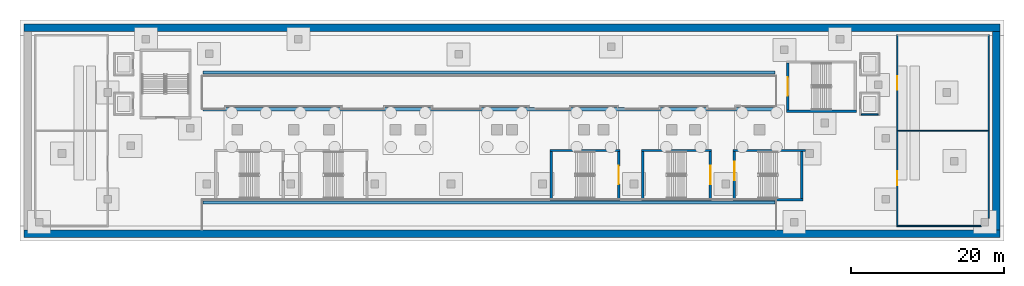
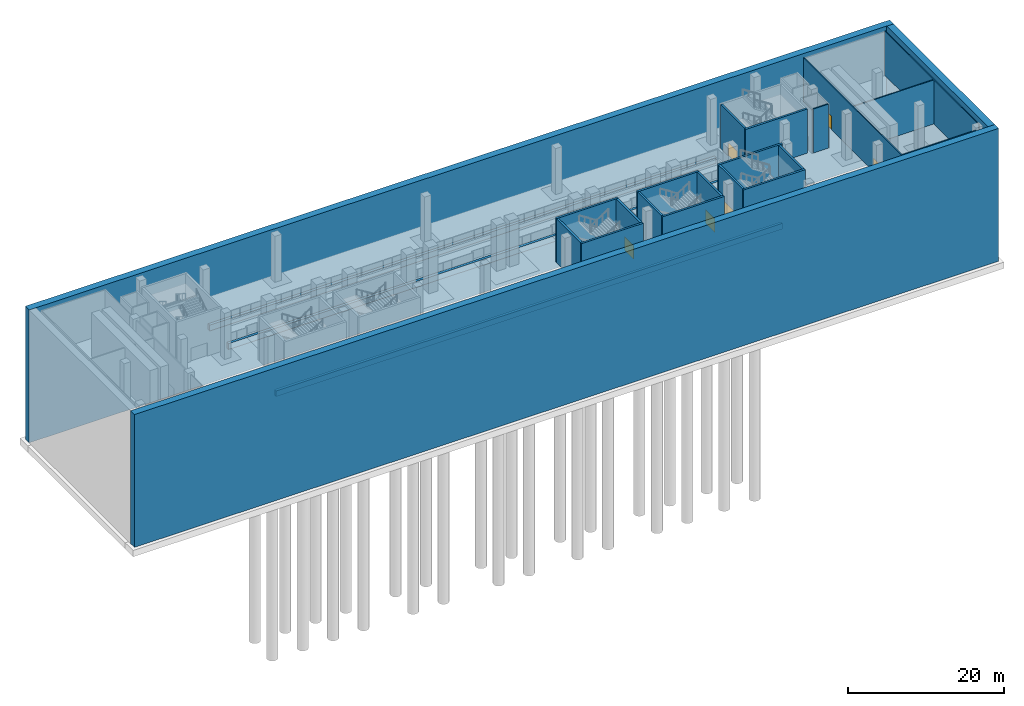
# One storey, part 4 of 15: 25 walls, 6 doors, 6 openings.
"""IFC4 building model written with IfcOpenShell, lengths in metres."""

from ifc_helpers import new_model, si_unit, direction, frame, frame_2d, origin, place, context, subcontext, project, spatial, rectangle, extrude, material, layer, layer_set, type_object, element, fill, save


model = new_model("IFC4")

# Units and contexts
model_context = context("Model", 3, precision=1e-05, world=origin(), true_north=direction((0.0, 1.0)))
body_context = subcontext(model_context, "Body", "Model", "MODEL_VIEW")
ifc_project = project(units=[si_unit("LENGTHUNIT", "METRE"), si_unit("AREAUNIT", "SQUARE_METRE"), si_unit("VOLUMEUNIT", "CUBIC_METRE"), si_unit("PLANEANGLEUNIT", "RADIAN"), si_unit("MASSUNIT", "GRAM", prefix="KILO")], contexts=[model_context])

# Site, building, storey
site_placement = place(None, origin())
site = spatial("IfcSite", under=ifc_project, at=site_placement, CompositionType="ELEMENT")
building_placement = place(site_placement, origin())
building = spatial("IfcBuilding", under=site, at=building_placement, Name="Wharfspan Tower", CompositionType="ELEMENT")
storey_placement = place(building_placement, frame((0.0, 0.0, -14.399902)))
storey = spatial("IfcBuildingStorey", under=building, at=storey_placement, Name="B2", CompositionType="ELEMENT", Elevation=-14.399902)

# Walls
ifc_material_1 = material(Name="Concrete C35/45", Category="concrete")
ifc_layer_1 = layer(ifc_material_1, 1.0)
ifc_layer_set_1 = layer_set([ifc_layer_1], Name="Concrete C35/45")
wall_type_1 = type_object("IfcWallType", Name="Diaphragm wall 1000", PredefinedType="SOLIDWALL", material=ifc_layer_set_1)
for number, where, z_axis, x_axis, name in (
    (1, (-16.0, -35.5, -13.600098), (0.0, 0.0, 1.0), (1.0, 0.0, 0.0), "Diaphragm wall"),
    (2, (-16.0, -8.5, -13.600098), (0.0, 0.0, 1.0), (1.0, 0.0, 0.0), "Station north wall"),
):
    element("IfcWall", number, at=place(storey_placement, frame(where, z_axis=z_axis, x_axis=x_axis)), inside=storey, type_object=wall_type_1, Name=name, PredefinedType="SOLIDWALL", context=body_context, shape_type="SweptSolid", body=[
        extrude(rectangle(XDim=128.0, YDim=1.0, at=frame_2d((64.0, 0.0))), origin(), (0.0, 0.0, 1.0), 20.800049),
    ])
wall_1_placement = place(storey_placement, frame((111.5, -35.0, -13.600098), z_axis=(0.0, 0.0, 1.0), x_axis=(0.0, 1.0, 0.0)))
element("IfcWall", 3, at=wall_1_placement, inside=storey, type_object=wall_type_1, Name="Diaphragm wall", PredefinedType="SOLIDWALL", context=body_context, shape_type="SweptSolid", body=[
    extrude(rectangle(XDim=26.0, YDim=1.0, at=frame_2d((13.0, 0.0))), origin(), (0.0, 0.0, 1.0), 20.800049),
])
ifc_layer_2 = layer(ifc_material_1, 0.399902)
ifc_layer_set_2 = layer_set([ifc_layer_2], Name="Concrete C35/45")
wall_type_2 = type_object("IfcWallType", Name="Platform edge wall 400", PredefinedType="SOLIDWALL", material=ifc_layer_set_2)
for number, where, z_axis, x_axis, name in (
    (4, (7.5, -31.399902, -0.900146), (0.0, 0.0, 1.0), (1.0, 0.0, 0.0), "Platform edge wall"),
    (5, (7.5, -19.199951, -0.900146), (0.0, 0.0, 1.0), (1.0, 0.0, 0.0), "Platform edge wall"),
    (6, (7.5, -14.399902, -0.900146), (0.0, 0.0, 1.0), (1.0, 0.0, 0.0), "Platform edge wall"),
):
    element("IfcWall", number, at=place(storey_placement, frame(where, z_axis=z_axis, x_axis=x_axis)), inside=storey, type_object=wall_type_2, Name=name, PredefinedType="SOLIDWALL", context=body_context, shape_type="SweptSolid", body=[
        extrude(rectangle(XDim=75.0, YDim=0.399902, at=frame_2d((37.5, 0.0))), origin(), (0.0, 0.0, 1.0), 0.900146),
    ])
ifc_material_2 = material(Name="Calcium silicate masonry", Category="masonry")
ifc_layer_3 = layer(ifc_material_2, 0.149902)
ifc_layer_set_3 = layer_set([ifc_layer_3], Name="Calcium silicate masonry")
wall_type_3 = type_object("IfcWallType", Name="Podium room wall 150", PredefinedType="PARTITIONING", material=ifc_layer_set_3)
wall_2_placement = place(storey_placement, frame((98.574951, -34.5, 0.0), z_axis=(0.0, 0.0, 1.0), x_axis=(1.0, 0.0, 0.0)))
element("IfcWall", 7, at=wall_2_placement, inside=storey, type_object=wall_type_3, Name="iw:B2:2", PredefinedType="PARTITIONING", context=body_context, shape_type="SweptSolid", body=[
    extrude(rectangle(XDim=10.915039, YDim=0.149902, at=frame_2d((5.45752, 0.0))), origin(), (0.0, 0.0, 1.0), 6.899902),
])
wall_3_placement = place(storey_placement, frame((98.574951, -22.0, 0.0), z_axis=(0.0, 0.0, 1.0), x_axis=(1.0, 0.0, 0.0)))
element("IfcWall", 8, at=wall_3_placement, inside=storey, type_object=wall_type_3, Name="iw:B2:7", PredefinedType="PARTITIONING", context=body_context, shape_type="SweptSolid", body=[
    extrude(rectangle(XDim=11.850098, YDim=0.149902, at=frame_2d((5.925049, 0.0))), origin(), (0.0, 0.0, 1.0), 6.899902),
])
wall_4_placement = place(storey_placement, frame((110.5, -33.48999, 0.0), z_axis=(0.0, 0.0, 1.0), x_axis=(0.0, 1.0, 0.0)))
element("IfcWall", 9, at=wall_4_placement, inside=storey, type_object=wall_type_3, Name="iw:B2:11", PredefinedType="PARTITIONING", context=body_context, shape_type="SweptSolid", body=[
    extrude(rectangle(XDim=24.064941, YDim=0.149902, at=frame_2d((12.032471, 0.0))), origin(), (0.0, 0.0, 1.0), 6.899902),
])

# Wall, openings, doors
wall_5_placement = place(storey_placement, frame((98.5, -34.574951, 0.0), z_axis=(0.0, 0.0, 1.0), x_axis=(0.0, 1.0, 0.0)))
wall_5 = element("IfcWall", 10, at=wall_5_placement, inside=storey, type_object=wall_type_3, Name="iw:B2:12", PredefinedType="PARTITIONING", context=body_context, shape_type="SweptSolid", body=[
    extrude(rectangle(XDim=25.149902, YDim=0.149902, at=frame_2d((12.574951, 0.0))), origin(), (0.0, 0.0, 1.0), 6.899902),
])
opening_1_placement = place(wall_5_placement, frame((5.425049, 0.0, 0.0)))
opening_1 = element("IfcOpeningElement", 11, at=opening_1_placement, cuts=wall_5, Name="Opening PD2.3", PredefinedType="OPENING", context=body_context, shape_type="SweptSolid", body=[
    extrude(rectangle(XDim=1.800049, YDim=2.100098, at=frame_2d((0.899902, 1.050049))), frame((0.0, 0.084961, 0.0), z_axis=(0.0, -1.0, 0.0), x_axis=(1.0, 0.0, 0.0)), (0.0, 0.0, 1.0), 0.169922),
])
opening_2_placement = place(wall_5_placement, frame((17.925049, 0.0, 0.0)))
opening_2 = element("IfcOpeningElement", 12, at=opening_2_placement, cuts=wall_5, Name="Opening PD2.4", PredefinedType="OPENING", context=body_context, shape_type="SweptSolid", body=[
    extrude(rectangle(XDim=1.800049, YDim=2.100098, at=frame_2d((0.899902, 1.050049))), frame((0.0, 0.084961, 0.0), z_axis=(0.0, -1.0, 0.0), x_axis=(1.0, 0.0, 0.0)), (0.0, 0.0, 1.0), 0.169922),
])
ifc_material_3 = material(Name="Steel door leaf", Category="steel")
door_type_1 = type_object("IfcDoorType", Name="Podium double door 1800x2100", OperationType="DOUBLE_DOOR_SINGLE_SWING", PredefinedType="DOOR", material=ifc_material_3)
door_1_placement = place(opening_1_placement, origin())
door_1 = element("IfcDoor", 13, at=door_1_placement, inside=storey, type_object=door_type_1, Name="id:B2:3", OperationType="DOUBLE_DOOR_SINGLE_SWING", OverallHeight=2.100098, OverallWidth=1.800049, PredefinedType="DOOR", context=body_context, shape_type="SweptSolid", body=[
    extrude(rectangle(XDim=1.800049, YDim=2.100098, at=frame_2d((0.899902, 1.050049))), frame((0.0, 0.024902, 0.0), z_axis=(0.0, -1.0, 0.0), x_axis=(1.0, 0.0, 0.0)), (0.0, 0.0, 1.0), 0.050049),
])
fill(opening_1, door_1)
door_2_placement = place(opening_2_placement, origin())
door_2 = element("IfcDoor", 14, at=door_2_placement, inside=storey, type_object=door_type_1, Name="id:B2:4", OperationType="DOUBLE_DOOR_SINGLE_SWING", OverallHeight=2.100098, OverallWidth=1.800049, PredefinedType="DOOR", context=body_context, shape_type="SweptSolid", body=[
    extrude(rectangle(XDim=1.800049, YDim=2.100098, at=frame_2d((0.899902, 1.050049))), frame((0.0, 0.024902, 0.0), z_axis=(0.0, -1.0, 0.0), x_axis=(1.0, 0.0, 0.0)), (0.0, 0.0, 1.0), 0.050049),
])
fill(opening_2, door_2)

# Walls
ifc_material_4 = material(Name="Concrete C30/37", Category="concrete")
ifc_layer_4 = layer(ifc_material_4, 0.199951)
ifc_layer_set_4 = layer_set([ifc_layer_4], Name="Concrete C30/37")
wall_type_4 = type_object("IfcWallType", Name="Podium shaft wall 200", PredefinedType="PARTITIONING", material=ifc_layer_set_4)
wall_6_placement = place(storey_placement, frame((93.800049, -19.899902, 0.0), z_axis=(0.0, 0.0, 1.0), x_axis=(1.0, 0.0, 0.0)))
element("IfcWall", 15, at=wall_6_placement, inside=storey, type_object=wall_type_4, Name="pl:LP2:B2:S", PredefinedType="PARTITIONING", context=body_context, shape_type="SweptSolid", body=[
    extrude(rectangle(XDim=2.199951, YDim=0.199951, at=frame_2d((1.100098, 0.0))), origin(), (0.0, 0.0, 1.0), 6.899902),
])
ifc_material_5 = material(Name="Concrete C40/50", Category="concrete")
ifc_layer_5 = layer(ifc_material_5, 0.300049)
ifc_layer_set_5 = layer_set([ifc_layer_5], Name="Concrete C40/50")
wall_type_5 = type_object("IfcWallType", Name="Podium stair core wall 300", PredefinedType="SHEAR", material=ifc_layer_set_5)
for number, where, z_axis, x_axis, name in (
    (16, (53.0, -31.050049, 0.0), (0.0, 0.0, 1.0), (1.0, 0.0, 0.0), "iw:B2:SB3S"),
    (17, (53.0, -24.600098, 0.0), (0.0, 0.0, 1.0), (1.0, 0.0, 0.0), "iw:B2:SB3N"),
):
    element("IfcWall", number, at=place(storey_placement, frame(where, z_axis=z_axis, x_axis=x_axis)), inside=storey, type_object=wall_type_5, Name=name, PredefinedType="SHEAR", context=body_context, shape_type="SweptSolid", body=[
        extrude(rectangle(XDim=9.149902, YDim=0.300049, at=frame_2d((4.574951, 0.0))), origin(), (0.0, 0.0, 1.0), 6.899902),
    ])
wall_7_placement = place(storey_placement, frame((53.149902, -30.899902, 0.0), z_axis=(0.0, 0.0, 1.0), x_axis=(0.0, 1.0, 0.0)))
element("IfcWall", 18, at=wall_7_placement, inside=storey, type_object=wall_type_5, Name="iw:B2:SB3W", PredefinedType="SHEAR", context=body_context, shape_type="SweptSolid", body=[
    extrude(rectangle(XDim=6.149902, YDim=0.300049, at=frame_2d((3.074951, 0.0))), origin(), (0.0, 0.0, 1.0), 6.899902),
])

# Wall, opening, door
wall_8_placement = place(storey_placement, frame((62.0, -30.899902, 0.0), z_axis=(0.0, 0.0, 1.0), x_axis=(0.0, 1.0, 0.0)))
wall_8 = element("IfcWall", 19, at=wall_8_placement, inside=storey, type_object=wall_type_5, Name="iw:B2:SB3E", PredefinedType="SHEAR", context=body_context, shape_type="SweptSolid", body=[
    extrude(rectangle(XDim=6.149902, YDim=0.300049, at=frame_2d((3.074951, 0.0))), origin(), (0.0, 0.0, 1.0), 6.899902),
])
opening_3_placement = place(wall_8_placement, frame((1.875, 0.0, 0.0)))
opening_3 = element("IfcOpeningElement", 20, at=opening_3_placement, cuts=wall_8, Name="Opening SDSB3.B2", PredefinedType="OPENING", context=body_context, shape_type="SweptSolid", body=[
    extrude(rectangle(XDim=2.399902, YDim=2.100098, at=frame_2d((1.199951, 1.050049))), frame((0.0, 0.159912, 0.0), z_axis=(0.0, -1.0, 0.0), x_axis=(1.0, 0.0, 0.0)), (0.0, 0.0, 1.0), 0.320068),
])
door_type_2 = type_object("IfcDoorType", Name="Podium stair door 2400x2100", OperationType="DOUBLE_DOOR_SINGLE_SWING", PredefinedType="DOOR", material=ifc_material_3)
door_3_placement = place(opening_3_placement, origin())
door_3 = element("IfcDoor", 21, at=door_3_placement, inside=storey, type_object=door_type_2, Name="id:B2:SB3", OperationType="DOUBLE_DOOR_SINGLE_SWING", OverallHeight=2.100098, OverallWidth=2.399902, PredefinedType="DOOR", context=body_context, shape_type="SweptSolid", body=[
    extrude(rectangle(XDim=2.399902, YDim=2.100098, at=frame_2d((1.199951, 1.050049))), frame((0.0, 0.024902, 0.0), z_axis=(0.0, -1.0, 0.0), x_axis=(1.0, 0.0, 0.0)), (0.0, 0.0, 1.0), 0.050049),
])
fill(opening_3, door_3)

# Walls
for number, where, z_axis, x_axis, name in (
    (22, (65.0, -31.050049, 0.0), (0.0, 0.0, 1.0), (1.0, 0.0, 0.0), "iw:B2:SB4S"),
    (23, (65.0, -24.600098, 0.0), (0.0, 0.0, 1.0), (1.0, 0.0, 0.0), "iw:B2:SB4N"),
):
    element("IfcWall", number, at=place(storey_placement, frame(where, z_axis=z_axis, x_axis=x_axis)), inside=storey, type_object=wall_type_5, Name=name, PredefinedType="SHEAR", context=body_context, shape_type="SweptSolid", body=[
        extrude(rectangle(XDim=9.149902, YDim=0.300049, at=frame_2d((4.574951, 0.0))), origin(), (0.0, 0.0, 1.0), 6.899902),
    ])
wall_9_placement = place(storey_placement, frame((65.149902, -30.899902, 0.0), z_axis=(0.0, 0.0, 1.0), x_axis=(0.0, 1.0, 0.0)))
element("IfcWall", 24, at=wall_9_placement, inside=storey, type_object=wall_type_5, Name="iw:B2:SB4W", PredefinedType="SHEAR", context=body_context, shape_type="SweptSolid", body=[
    extrude(rectangle(XDim=6.149902, YDim=0.300049, at=frame_2d((3.074951, 0.0))), origin(), (0.0, 0.0, 1.0), 6.899902),
])

# Wall, opening, door
wall_10_placement = place(storey_placement, frame((74.0, -30.899902, 0.0), z_axis=(0.0, 0.0, 1.0), x_axis=(0.0, 1.0, 0.0)))
wall_10 = element("IfcWall", 25, at=wall_10_placement, inside=storey, type_object=wall_type_5, Name="iw:B2:SB4E", PredefinedType="SHEAR", context=body_context, shape_type="SweptSolid", body=[
    extrude(rectangle(XDim=6.149902, YDim=0.300049, at=frame_2d((3.074951, 0.0))), origin(), (0.0, 0.0, 1.0), 6.899902),
])
opening_4_placement = place(wall_10_placement, frame((1.875, 0.0, 0.0)))
opening_4 = element("IfcOpeningElement", 26, at=opening_4_placement, cuts=wall_10, Name="Opening SDSB4.B2", PredefinedType="OPENING", context=body_context, shape_type="SweptSolid", body=[
    extrude(rectangle(XDim=2.399902, YDim=2.100098, at=frame_2d((1.199951, 1.050049))), frame((0.0, 0.159912, 0.0), z_axis=(0.0, -1.0, 0.0), x_axis=(1.0, 0.0, 0.0)), (0.0, 0.0, 1.0), 0.320068),
])
door_4_placement = place(opening_4_placement, origin())
door_4 = element("IfcDoor", 27, at=door_4_placement, inside=storey, type_object=door_type_2, Name="id:B2:SB4", OperationType="DOUBLE_DOOR_SINGLE_SWING", OverallHeight=2.100098, OverallWidth=2.399902, PredefinedType="DOOR", context=body_context, shape_type="SweptSolid", body=[
    extrude(rectangle(XDim=2.399902, YDim=2.100098, at=frame_2d((1.199951, 1.050049))), frame((0.0, 0.024902, 0.0), z_axis=(0.0, -1.0, 0.0), x_axis=(1.0, 0.0, 0.0)), (0.0, 0.0, 1.0), 0.050049),
])
fill(opening_4, door_4)

# Walls
wall_11_placement = place(storey_placement, frame((77.0, -31.050049, 0.0), z_axis=(0.0, 0.0, 1.0), x_axis=(1.0, 0.0, 0.0)))
element("IfcWall", 28, at=wall_11_placement, inside=storey, type_object=wall_type_5, Name="iw:B2:SB5S", PredefinedType="SHEAR", context=body_context, shape_type="SweptSolid", body=[
    extrude(rectangle(XDim=9.149902, YDim=0.300049, at=frame_2d((4.574951, 0.0))), origin(), (0.0, 0.0, 1.0), 6.899902),
])
wall_12_placement = place(storey_placement, frame((77.0, -24.600098, 0.0), z_axis=(0.0, 0.0, 1.0), x_axis=(1.0, 0.0, 0.0)))
element("IfcWall", 29, at=wall_12_placement, inside=storey, type_object=wall_type_5, Name="iw:B2:SB5N", PredefinedType="SHEAR", context=body_context, shape_type="SweptSolid", body=[
    extrude(rectangle(XDim=9.5, YDim=0.300049, at=frame_2d((4.75, 0.0))), origin(), (0.0, 0.0, 1.0), 6.899902),
])

# Wall, opening, door
wall_13_placement = place(storey_placement, frame((77.149902, -30.899902, 0.0), z_axis=(0.0, 0.0, 1.0), x_axis=(0.0, 1.0, 0.0)))
wall_13 = element("IfcWall", 30, at=wall_13_placement, inside=storey, type_object=wall_type_5, Name="iw:B2:SB5W", PredefinedType="SHEAR", context=body_context, shape_type="SweptSolid", body=[
    extrude(rectangle(XDim=6.149902, YDim=0.300049, at=frame_2d((3.074951, 0.0))), origin(), (0.0, 0.0, 1.0), 6.899902),
])
opening_5_placement = place(wall_13_placement, frame((2.399902, 0.0, 0.0)))
opening_5 = element("IfcOpeningElement", 31, at=opening_5_placement, cuts=wall_13, Name="Opening SDSB5.B2", PredefinedType="OPENING", context=body_context, shape_type="SweptSolid", body=[
    extrude(rectangle(XDim=2.399902, YDim=2.100098, at=frame_2d((1.199951, 1.050049))), frame((0.0, 0.159912, 0.0), z_axis=(0.0, -1.0, 0.0), x_axis=(1.0, 0.0, 0.0)), (0.0, 0.0, 1.0), 0.320068),
])
door_5_placement = place(opening_5_placement, origin())
door_5 = element("IfcDoor", 32, at=door_5_placement, inside=storey, type_object=door_type_2, Name="id:B2:SB5", OperationType="DOUBLE_DOOR_SINGLE_SWING", OverallHeight=2.100098, OverallWidth=2.399902, PredefinedType="DOOR", context=body_context, shape_type="SweptSolid", body=[
    extrude(rectangle(XDim=2.399902, YDim=2.100098, at=frame_2d((1.199951, 1.050049))), frame((0.0, 0.024902, 0.0), z_axis=(0.0, -1.0, 0.0), x_axis=(1.0, 0.0, 0.0)), (0.0, 0.0, 1.0), 0.050049),
])
fill(opening_5, door_5)

# Walls
wall_14_placement = place(storey_placement, frame((86.0, -30.899902, 0.0), z_axis=(0.0, 0.0, 1.0), x_axis=(0.0, 1.0, 0.0)))
element("IfcWall", 33, at=wall_14_placement, inside=storey, type_object=wall_type_5, Name="iw:B2:SB5E", PredefinedType="SHEAR", context=body_context, shape_type="SweptSolid", body=[
    extrude(rectangle(XDim=6.149902, YDim=0.300049, at=frame_2d((3.074951, 0.0))), origin(), (0.0, 0.0, 1.0), 6.899902),
])
wall_15_placement = place(storey_placement, frame((84.0, -19.449951, 0.0), z_axis=(0.0, 0.0, 1.0), x_axis=(1.0, 0.0, 0.0)))
element("IfcWall", 34, at=wall_15_placement, inside=storey, type_object=wall_type_5, Name="iw:B2:SB7S", PredefinedType="SHEAR", context=body_context, shape_type="SweptSolid", body=[
    extrude(rectangle(XDim=9.149902, YDim=0.300049, at=frame_2d((4.574951, 0.0))), origin(), (0.0, 0.0, 1.0), 6.899902),
])

# Wall, opening, door
wall_16_placement = place(storey_placement, frame((84.149902, -19.300049, 0.0), z_axis=(0.0, 0.0, 1.0), x_axis=(0.0, 1.0, 0.0)))
wall_16 = element("IfcWall", 35, at=wall_16_placement, inside=storey, type_object=wall_type_5, Name="iw:B2:SB7W", PredefinedType="SHEAR", context=body_context, shape_type="SweptSolid", body=[
    extrude(rectangle(XDim=6.150146, YDim=0.300049, at=frame_2d((3.075195, 0.0))), origin(), (0.0, 0.0, 1.0), 6.899902),
])
opening_6_placement = place(wall_16_placement, frame((1.875, 0.0, 0.0)))
opening_6 = element("IfcOpeningElement", 36, at=opening_6_placement, cuts=wall_16, Name="Opening SDSB7.B2", PredefinedType="OPENING", context=body_context, shape_type="SweptSolid", body=[
    extrude(rectangle(XDim=2.399902, YDim=2.100098, at=frame_2d((1.199951, 1.050049))), frame((0.0, 0.159912, 0.0), z_axis=(0.0, -1.0, 0.0), x_axis=(1.0, 0.0, 0.0)), (0.0, 0.0, 1.0), 0.320068),
])
door_6_placement = place(opening_6_placement, origin())
door_6 = element("IfcDoor", 37, at=door_6_placement, inside=storey, type_object=door_type_2, Name="id:B2:SB7", OperationType="DOUBLE_DOOR_SINGLE_SWING", OverallHeight=2.100098, OverallWidth=2.399902, PredefinedType="DOOR", context=body_context, shape_type="SweptSolid", body=[
    extrude(rectangle(XDim=2.399902, YDim=2.100098, at=frame_2d((1.199951, 1.050049))), frame((0.0, 0.024902, 0.0), z_axis=(0.0, -1.0, 0.0), x_axis=(1.0, 0.0, 0.0)), (0.0, 0.0, 1.0), 0.050049),
])
fill(opening_6, door_6)

save(model, "model.ifc")
